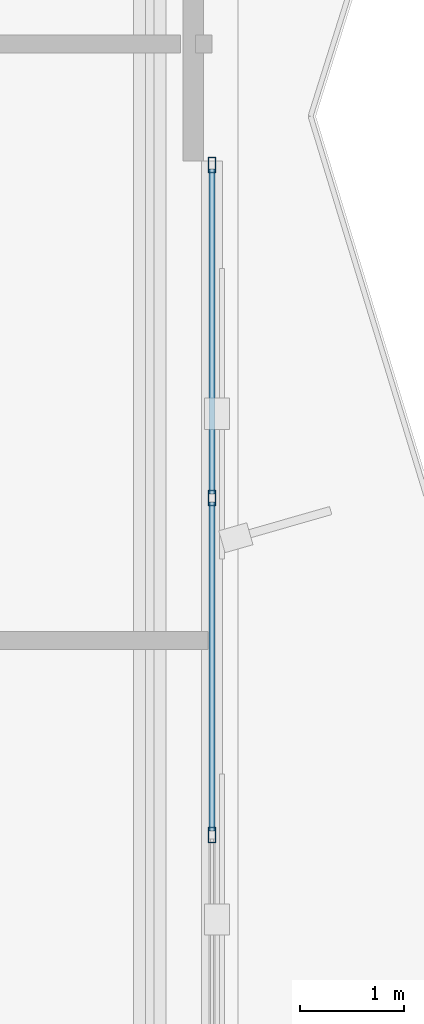
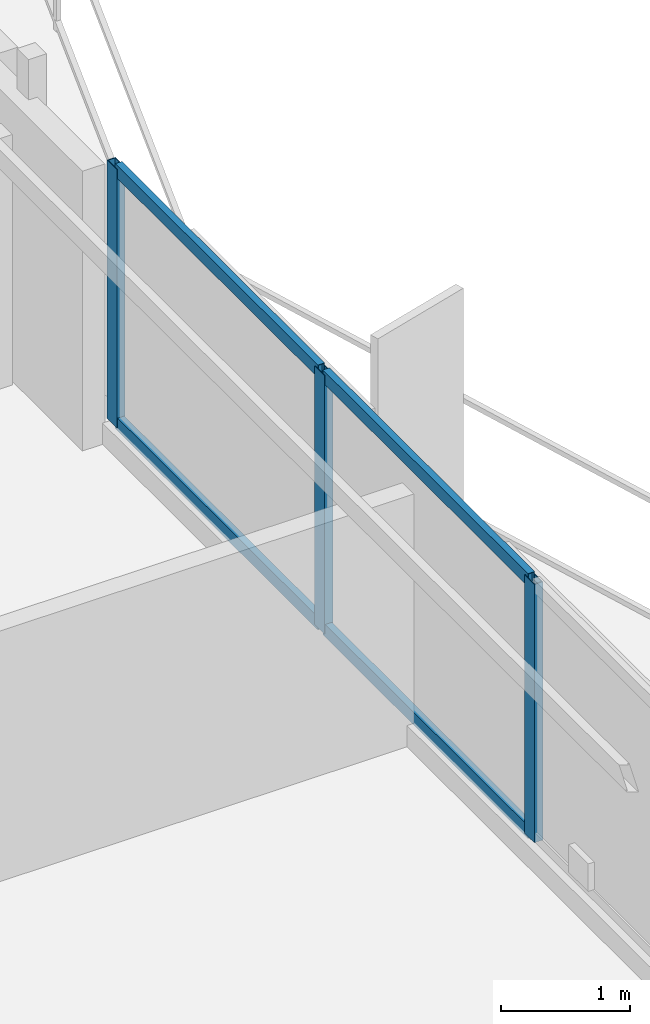
# One storey, part 14 of 22: 7 members, 1 element without a shape of its own.
"""IFC4 building model written with IfcOpenShell, lengths in metres."""

from ifc_helpers import new_model, si_unit, direction, frame, origin, origin_2d, place, context, subcontext, project, spatial, hollow_rectangle, extrude, material, layer, layer_set, material_profile, profile_set, type_object, element, aggregate, save


model = new_model("IFC4")

# Units and contexts
model_context = context("Model", 3, precision=1e-05, world=origin(), true_north=direction((0.0, 1.0)))
body_context = subcontext(model_context, "Body", "Model", "MODEL_VIEW")
ifc_project = project(units=[si_unit("LENGTHUNIT", "METRE"), si_unit("AREAUNIT", "SQUARE_METRE"), si_unit("VOLUMEUNIT", "CUBIC_METRE"), si_unit("PLANEANGLEUNIT", "RADIAN"), si_unit("MASSUNIT", "GRAM", prefix="KILO")], contexts=[model_context])

# Site, building, storey
site_placement = place(None, origin())
site = spatial("IfcSite", under=ifc_project, at=site_placement, CompositionType="ELEMENT")
building_placement = place(site_placement, origin())
building = spatial("IfcBuilding", under=site, at=building_placement, Name="Mersakhor Tower and Convention Hall", CompositionType="ELEMENT")
storey_placement = place(building_placement, frame((0.0, 0.0, 167.39990234375)))
storey = spatial("IfcBuildingStorey", under=building, at=storey_placement, Name="L46", CompositionType="ELEMENT", Elevation=167.39990234375)

# Curtain wall, members
ifc_material_1 = material(Name="Dark solar low-E aluminium curtain wall", Category="aluminium")
ifc_layer = layer(ifc_material_1, 0.169921875)
ifc_layer_set = layer_set([ifc_layer], Name="Dark solar low-E aluminium curtain wall")
curtain_wall_type = type_object("IfcCurtainWallType", Name="CW-SYS-02", PredefinedType="USERDEFINED", material=ifc_layer_set)
curtain_wall_placement = place(storey_placement, origin())
curtain_wall = element("IfcCurtainWall", 1, at=curtain_wall_placement, inside=storey, type_object=curtain_wall_type, Name="L46 Dark-Glass Curtain Wall F2-B2", ObjectType="CURTAIN WALL", PredefinedType="USERDEFINED")
ifc_material_2 = material(Name="Anodised aluminium EN AW-6063 T6", Category="aluminium")
ifc_material_profile_1 = material_profile(ifc_material_2, hollow_rectangle(XDim=0.074951171875, YDim=0.14990234375, WallThickness=0.00634765625, at=origin_2d()), Name="RHS 150x75x6.3")
ifc_profile_set_1 = profile_set([ifc_material_profile_1], Name="Anodised aluminium EN AW-6063 T6")
member_type_1 = type_object("IfcMemberType", Name="CWM-150x75", PredefinedType="MULLION", material=ifc_profile_set_1)
member_1_placement = place(storey_placement, frame((41.40380859375, 31.583740234375, 0.2001953125), z_axis=(0.0, 0.0, 1.0), x_axis=(1.0, 0.0, 0.0)))
member_1 = element("IfcMember", 2, at=member_1_placement, type_object=member_type_1, Name="CW-02 mullion 1", PredefinedType="MULLION", context=body_context, shape_type="SweptSolid", body=[
    extrude(hollow_rectangle(XDim=0.074951171875, YDim=0.14990234375, WallThickness=0.00634765625, at=origin_2d()), origin(), (0.0, 0.0, 1.0), 2.43994140625),
])
member_2_placement = place(storey_placement, frame((41.40380859375, 28.373779296875, 0.2001953125), z_axis=(0.0, 0.0, 1.0), x_axis=(1.0, 0.0, 0.0)))
member_2 = element("IfcMember", 3, at=member_2_placement, type_object=member_type_1, Name="CW-02 mullion 2", PredefinedType="MULLION", context=body_context, shape_type="SweptSolid", body=[
    extrude(hollow_rectangle(XDim=0.074951171875, YDim=0.14990234375, WallThickness=0.00634765625, at=origin_2d()), origin(), (0.0, 0.0, 1.0), 2.43994140625),
])
member_3_placement = place(storey_placement, frame((41.40380859375, 25.126220703125, 0.2001953125), z_axis=(0.0, 0.0, 1.0), x_axis=(1.0, 0.0, 0.0)))
member_3 = element("IfcMember", 4, at=member_3_placement, type_object=member_type_1, Name="CW-02 mullion 3", PredefinedType="MULLION", context=body_context, shape_type="SweptSolid", body=[
    extrude(hollow_rectangle(XDim=0.074951171875, YDim=0.14990234375, WallThickness=0.00634765625, at=origin_2d()), origin(), (0.0, 0.0, 1.0), 2.43994140625),
])
ifc_material_3 = material(Name="Anodised aluminium EN AW-6063 T6", Category="aluminium")
ifc_material_profile_2 = material_profile(ifc_material_3, hollow_rectangle(XDim=0.06005859375, YDim=0.1201171875, WallThickness=0.0048828125, at=origin_2d()), Name="RHS 120x60x5")
ifc_profile_set_2 = profile_set([ifc_material_profile_2], Name="Anodised aluminium EN AW-6063 T6")
member_type_2 = type_object("IfcMemberType", Name="CWT-120x60", PredefinedType="USERDEFINED", material=ifc_profile_set_2)
member_4_placement = place(storey_placement, frame((41.40380859375, 31.546142578125, 0.22998046875), z_axis=(0.0, -1.0, 0.0), x_axis=(1.0, 0.0, 0.0)))
member_4 = element("IfcMember", 5, at=member_4_placement, type_object=member_type_2, Name="CW-02 transom 1.1", ObjectType="TRANSOM", PredefinedType="USERDEFINED", context=body_context, shape_type="SweptSolid", body=[
    extrude(hollow_rectangle(XDim=0.06005859375, YDim=0.1201171875, WallThickness=0.0048828125, at=origin_2d()), origin(), (0.0, 0.0, 1.0), 3.135009765625),
])
member_5_placement = place(storey_placement, frame((41.40380859375, 31.546142578125, 2.610107421875), z_axis=(0.0, -1.0, 0.0), x_axis=(1.0, 0.0, 0.0)))
member_5 = element("IfcMember", 6, at=member_5_placement, type_object=member_type_2, Name="CW-02 transom 1.2", ObjectType="TRANSOM", PredefinedType="USERDEFINED", context=body_context, shape_type="SweptSolid", body=[
    extrude(hollow_rectangle(XDim=0.06005859375, YDim=0.1201171875, WallThickness=0.0048828125, at=origin_2d()), origin(), (0.0, 0.0, 1.0), 3.135009765625),
])
member_6_placement = place(storey_placement, frame((41.40380859375, 28.336181640625, 0.22998046875), z_axis=(0.0, -1.0, 0.0), x_axis=(1.0, 0.0, 0.0)))
member_6 = element("IfcMember", 7, at=member_6_placement, type_object=member_type_2, Name="CW-02 transom 2.1", ObjectType="TRANSOM", PredefinedType="USERDEFINED", context=body_context, shape_type="SweptSolid", body=[
    extrude(hollow_rectangle(XDim=0.06005859375, YDim=0.1201171875, WallThickness=0.0048828125, at=origin_2d()), origin(), (0.0, 0.0, 1.0), 3.17236328125),
])
member_7_placement = place(storey_placement, frame((41.40380859375, 28.336181640625, 2.610107421875), z_axis=(0.0, -1.0, 0.0), x_axis=(1.0, 0.0, 0.0)))
member_7 = element("IfcMember", 8, at=member_7_placement, type_object=member_type_2, Name="CW-02 transom 2.2", ObjectType="TRANSOM", PredefinedType="USERDEFINED", context=body_context, shape_type="SweptSolid", body=[
    extrude(hollow_rectangle(XDim=0.06005859375, YDim=0.1201171875, WallThickness=0.0048828125, at=origin_2d()), origin(), (0.0, 0.0, 1.0), 3.17236328125),
])
aggregate(curtain_wall, [member_1, member_2, member_3, member_4, member_5, member_6, member_7])

save(model, "model.ifc")
